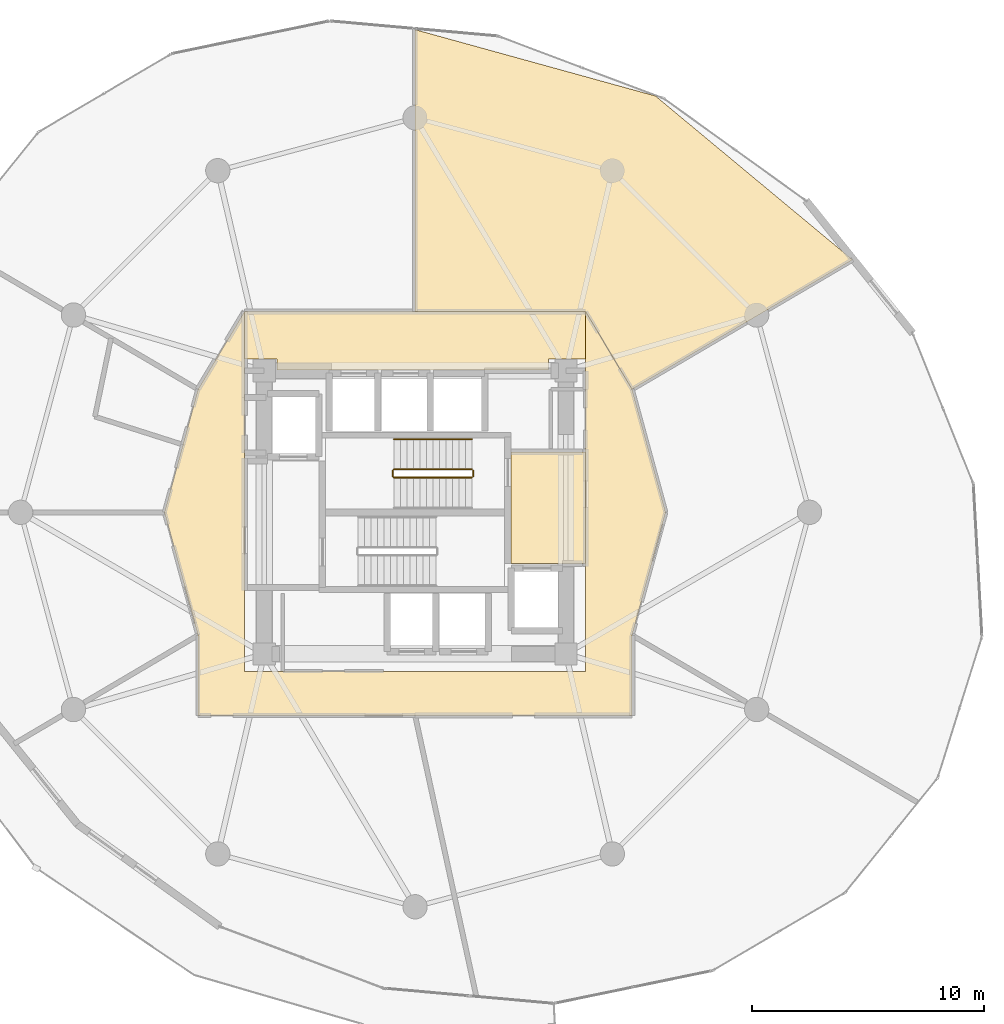
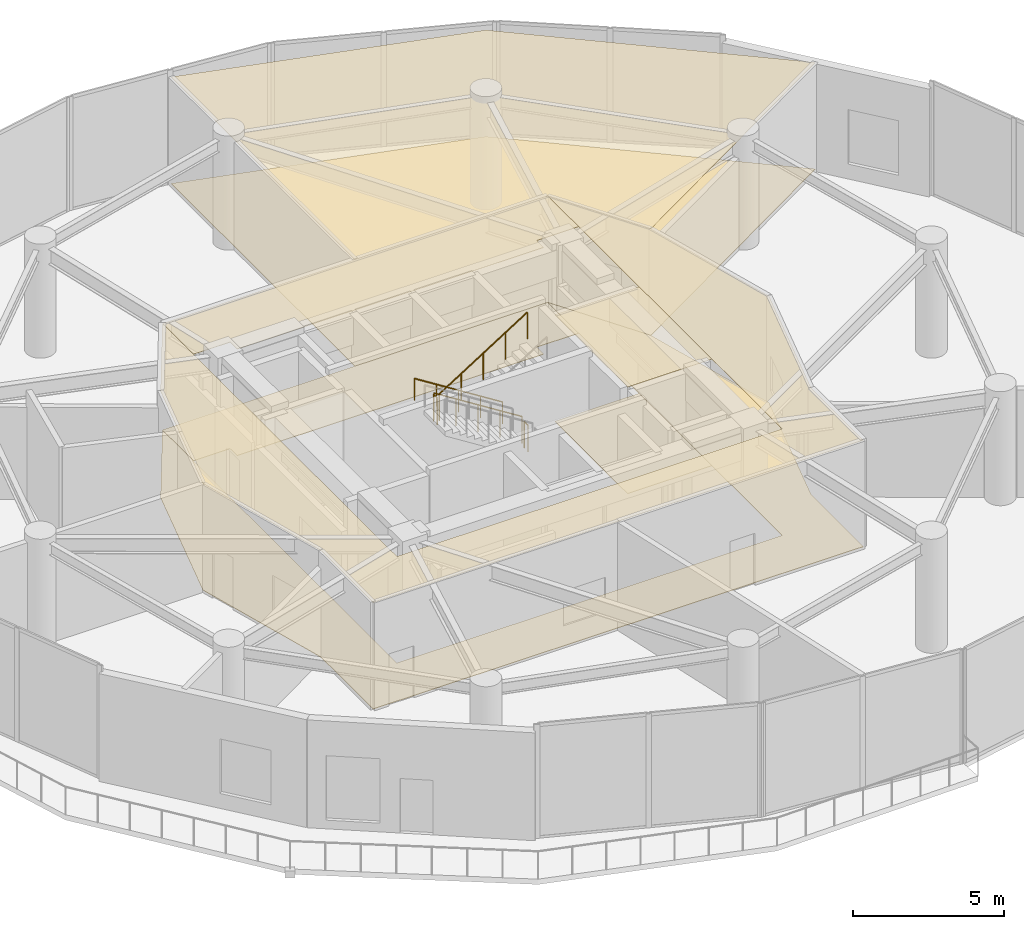
# One storey, part 28 of 28: 8 coverings, 5 railings.
"""IFC4 building model written with IfcOpenShell, lengths in metres."""

import ifcopenshell
import ifcopenshell.guid

model = None  # the IFC model being written
_history = None  # IfcOwnerHistory: only IFC2X3 demands one
_inside = {}  # id of a spatial element -> (the spatial element, [elements in it])
_under = {}  # id of a project, library or spatial element -> (it, [spatial elements below it])
_declared = {}  # id of a project -> (the project, [libraries it declares])
_typed = {}  # id of a type object -> (the type object, [elements of that type])
_made_of = {}  # id of a material, layer set ... -> (it, [elements and type objects made of it])


def new_model(schema):
    """Start an empty IFC model of exactly this schema.

    Asked for "IFC4X3", IfcOpenShell would pick the latest addendum, in which some entities
    have other attributes; the version numbers below select the first issue.
    IFC2X3 requires an IfcOwnerHistory on every rooted entity: one is made here for all.
    """
    global model, _history
    if schema == "IFC4X3":
        model = ifcopenshell.file(schema_version=(4, 3, 0, 0))
    else:
        model = ifcopenshell.file(schema=schema)
    _inside.clear()
    _under.clear()
    _declared.clear()
    _typed.clear()
    _made_of.clear()
    _history = None
    if model.schema == "IFC2X3":
        org = make("IfcOrganization", Name="unknown")
        user = make(
            "IfcPersonAndOrganization",
            ThePerson=make("IfcPerson", FamilyName="unknown"),
            TheOrganization=org,
        )
        app = make(
            "IfcApplication",
            ApplicationDeveloper=org,
            Version="unknown",
            ApplicationFullName="unknown",
            ApplicationIdentifier="unknown",
        )
        _history = make(
            "IfcOwnerHistory",
            OwningUser=user,
            OwningApplication=app,
            ChangeAction="ADDED",
            CreationDate=0,
        )
    return model


def make(cls, **values):
    """One entity of the class cls with the attributes given. An attribute that is None is left unset."""
    return model.create_entity(
        cls, **{name: value for name, value in values.items() if value is not None}
    )


def rooted(cls, **values):
    """An entity with a GlobalId (a new one), such as an element, a storey or a relation."""
    return make(cls, GlobalId=ifcopenshell.guid.new(), OwnerHistory=_history, **values)


def si_unit(unit_type, name, prefix=None):
    """IfcSIUnit, for example si_unit("LENGTHUNIT", "METRE", prefix="MILLI")."""
    return make("IfcSIUnit", UnitType=unit_type, Prefix=prefix, Name=name)


def assignment(units):
    """IfcUnitAssignment: the units of a project."""
    return None if units is None else make("IfcUnitAssignment", Units=units)


def point(xyz):
    """IfcCartesianPoint."""
    return None if xyz is None else make("IfcCartesianPoint", Coordinates=xyz)


def direction(xyz):
    """IfcDirection."""
    return None if xyz is None else make("IfcDirection", DirectionRatios=xyz)


def frame(location, z_axis=None, x_axis=None):
    """IfcAxis2Placement3D, a coordinate frame: its origin and axes. An axis left out is left unset."""
    return make(
        "IfcAxis2Placement3D",
        Location=point(location),
        Axis=direction(z_axis),
        RefDirection=direction(x_axis),
    )


def frame_2d(location, x_axis=None):
    """IfcAxis2Placement2D, a coordinate frame in the plane: its origin and x axis."""
    return make(
        "IfcAxis2Placement2D", Location=point(location), RefDirection=direction(x_axis)
    )


def origin():
    """The frame at (0, 0, 0) with its axes left unset."""
    return frame((0.0, 0.0, 0.0))


def origin_2d():
    """The frame at (0, 0) in the plane with its x axis left unset."""
    return frame_2d((0.0, 0.0))


def place(relative_to, where):
    """IfcLocalPlacement: puts the frame where relative to a parent placement (None: the world)."""
    return make(
        "IfcLocalPlacement", PlacementRelTo=relative_to, RelativePlacement=where
    )


def context(
    kind, dimensions, precision=None, world=None, true_north=None, identifier=None
):
    """IfcGeometricRepresentationContext, for example the 3D "Model" context."""
    return make(
        "IfcGeometricRepresentationContext",
        ContextIdentifier=identifier,
        ContextType=kind,
        CoordinateSpaceDimension=dimensions,
        Precision=precision,
        WorldCoordinateSystem=world,
        TrueNorth=true_north,
    )


def subcontext(parent, identifier, kind, view, scale=None):
    """IfcGeometricRepresentationSubContext, for example "Body" below "Model"."""
    return make(
        "IfcGeometricRepresentationSubContext",
        ContextIdentifier=identifier,
        ContextType=kind,
        ParentContext=parent,
        TargetScale=scale,
        TargetView=view,
    )


def project(units=None, contexts=None):
    """IfcProject with its units and contexts."""
    return rooted(
        "IfcProject",
        Name="project",
        RepresentationContexts=contexts,
        UnitsInContext=assignment(units),
    )


def spatial(cls, under=None, at=None, **own):
    """A site, building, storey or space (cls), placed at a placement, below another one or the project."""
    s = rooted(cls, ObjectPlacement=at, **own)
    if under is not None:
        _under.setdefault(under.id(), (under, []))[1].append(s)
    return s


def polyline(points):
    """IfcPolyline through the points."""
    return make("IfcPolyline", Points=[point(p) for p in points])


def profile(cls, at=None, kind="AREA", **sizes):
    """A parametric profile (cls). Its sizes go by their IFC names, for example OverallWidth=200.0."""
    return make(cls, ProfileType=kind, Position=at, **sizes)


def circle(**sizes):
    """IfcCircleProfileDef."""
    return profile("IfcCircleProfileDef", **sizes)


def outline(outer, holes=None, kind="AREA"):
    """IfcArbitraryClosedProfileDef: a profile drawn as a closed curve; with holes, ...WithVoids."""
    if holes is None:
        return make("IfcArbitraryClosedProfileDef", ProfileType=kind, OuterCurve=outer)
    return make(
        "IfcArbitraryProfileDefWithVoids",
        ProfileType=kind,
        OuterCurve=outer,
        InnerCurves=holes,
    )


def extrude(swept, where, along, depth):
    """IfcExtrudedAreaSolid: the profile swept, set in the frame where, extruded along a direction by depth."""
    return make(
        "IfcExtrudedAreaSolid",
        SweptArea=swept,
        Position=where,
        ExtrudedDirection=direction(along),
        Depth=depth,
    )


def shape(context_of_items, identifier, shape_type, items):
    """IfcShapeRepresentation: the items that make up one representation, for example the "Body"."""
    return make(
        "IfcShapeRepresentation",
        ContextOfItems=context_of_items,
        RepresentationIdentifier=identifier,
        RepresentationType=shape_type,
        Items=items,
    )


def material(Name=None, Category=None):
    """IfcMaterial."""
    return make("IfcMaterial", Name=Name, Category=Category)


def layer(
    of_material, thickness, ventilated=None, Name=None, Category=None, Priority=None
):
    """IfcMaterialLayer: one layer of a wall or slab, of a material (None: an air gap)."""
    return make(
        "IfcMaterialLayer",
        Material=of_material,
        LayerThickness=thickness,
        IsVentilated=ventilated,
        Name=Name,
        Category=Category,
        Priority=Priority,
    )


def layer_set(layers, Name=None):
    """IfcMaterialLayerSet."""
    return make("IfcMaterialLayerSet", MaterialLayers=layers, LayerSetName=Name)


def made_of(thing, what):
    """Note that an element or type object is made of a material, layer set ...; save() writes the relation."""
    if what is not None:
        _made_of.setdefault(what.id(), (what, []))[1].append(thing)
    return thing


def type_object(cls, material=None, **own):
    """A type object (cls), such as IfcWallType, which elements share."""
    return made_of(rooted(cls, **own), material)


def element(
    cls,
    number,
    at=None,
    inside=None,
    cuts=None,
    type_object=None,
    material=None,
    context=None,
    identifier="Body",
    shape_type=None,
    held_by="IfcProductDefinitionShape",
    body=None,
    shapes=None,
    **own,
):
    """One element of the class cls, such as IfcWall. Its Tag is "e" and its number.

    at: its placement. inside: the storey or other place that contains it. cuts: it is an
    opening in that element (IfcRelVoidsElement). A single representation is given by context,
    identifier, shape_type and body (its items); several are given by shapes. held_by: the class
    of the entity that holds the representations. save() writes the other relations.
    """
    e = rooted(cls, Tag="e%d" % number, ObjectPlacement=at, **own)
    if body is not None:
        shapes = [shape(context, identifier, shape_type, body)]
    if shapes is not None:
        e.Representation = make(held_by, Representations=shapes)
    if inside is not None:
        _inside.setdefault(inside.id(), (inside, []))[1].append(e)
    if cuts is not None:
        rooted(
            "IfcRelVoidsElement", RelatingBuildingElement=cuts, RelatedOpeningElement=e
        )
    if type_object is not None:
        _typed.setdefault(type_object.id(), (type_object, []))[1].append(e)
    return made_of(e, material)


def aggregate(whole, parts):
    """IfcRelAggregates: a whole, such as a stair, and the parts it consists of."""
    return rooted("IfcRelAggregates", RelatingObject=whole, RelatedObjects=parts)


def save(model, path):
    """Write the relations noted so far, then the file.

    IfcRelAggregates (storeys below a building ...), IfcRelContainedInSpatialStructure (elements
    in a storey), IfcRelDefinesByType, IfcRelAssociatesMaterial and IfcRelDeclares: one each for
    every whole, place, type object, material and project.
    """
    for whole, parts in _under.values():
        aggregate(whole, parts)
    for where, things in _inside.values():
        rooted(
            "IfcRelContainedInSpatialStructure",
            RelatedElements=things,
            RelatingStructure=where,
        )
    for kind, things in _typed.values():
        rooted("IfcRelDefinesByType", RelatedObjects=things, RelatingType=kind)
    for what, things in _made_of.values():
        rooted("IfcRelAssociatesMaterial", RelatedObjects=things, RelatingMaterial=what)
    for by, libraries in _declared.values():
        rooted("IfcRelDeclares", RelatingContext=by, RelatedDefinitions=libraries)
    model.write(path)


model = new_model("IFC4")

# Units and contexts
model_context = context("Model", 3, precision=1e-05, world=origin(), true_north=direction((0.0, 1.0)))
body_context = subcontext(model_context, "Body", "Model", "MODEL_VIEW")
ifc_project = project(units=[si_unit("LENGTHUNIT", "METRE"), si_unit("AREAUNIT", "SQUARE_METRE"), si_unit("VOLUMEUNIT", "CUBIC_METRE"), si_unit("PLANEANGLEUNIT", "RADIAN"), si_unit("MASSUNIT", "GRAM", prefix="KILO")], contexts=[model_context])

# Site, building, storey
site_placement = place(None, origin())
site = spatial("IfcSite", under=ifc_project, at=site_placement, CompositionType="ELEMENT")
building_placement = place(site_placement, origin())
building = spatial("IfcBuilding", under=site, at=building_placement, Name="Solvirekh Grand Hotel", CompositionType="ELEMENT")
storey_placement = place(building_placement, frame((0.0, 0.0, 98.0)))
storey = spatial("IfcBuildingStorey", under=building, at=storey_placement, Name="L24", CompositionType="ELEMENT", Elevation=98.0)

# Coverings
ifc_material_1 = material(Name="Acoustic Mineral Ceiling Tile")
ifc_layer_1 = layer(ifc_material_1, 0.02490234375)
ifc_layer_set_1 = layer_set([ifc_layer_1], Name="Acoustic Mineral Ceiling Tile")
covering_type_1 = type_object("IfcCoveringType", Name="Cov_Ceiling_Acoustic", PredefinedType="CEILING", material=ifc_layer_set_1)
covering_1_placement = place(storey_placement, frame((0.0, 0.0, 4.300048828125)))
element("IfcCovering", 1, at=covering_1_placement, inside=storey, type_object=covering_type_1, Name="L24 Firefighting Lobby East acoustic ceiling", PredefinedType="CEILING", context=body_context, shape_type="SweptSolid", body=[
    extrude(outline(polyline([(4.1298828125, -2.2099609375), (7.35009765625, -2.2099609375), (7.35009765625, 2.60009765625), (4.1298828125, 2.60009765625), (4.1298828125, -2.2099609375)])), origin(), (0.0, 0.0, 1.0), 0.01806640625),
])
covering_2_placement = place(storey_placement, frame((0.0, 0.0, 4.300048828125)))
element("IfcCovering", 2, at=covering_2_placement, inside=storey, type_object=covering_type_1, Name="L24 L24 High-Zone Passenger Lift Lobby acoustic ceiling", PredefinedType="CEILING", context=body_context, shape_type="SweptSolid", body=[
    extrude(outline(polyline([(-7.35009765625, 6.60009765625), (-5.949951171875, 6.60009765625), (-5.949951171875, 6.139892578125), (5.75, 6.139892578125), (5.75, 6.60009765625), (7.35009765625, 6.60009765625), (7.35009765625, 8.64990234375), (-7.35009765625, 8.64990234375), (-7.35009765625, 6.60009765625)])), origin(), (0.0, 0.0, 1.0), 0.01806640625),
])
covering_3_placement = place(storey_placement, frame((0.0, 0.0, 4.300048828125)))
element("IfcCovering", 3, at=covering_3_placement, inside=storey, type_object=covering_type_1, Name="L24 L24 Mid-Zone U-Gallery Corridor acoustic ceiling", PredefinedType="CEILING", context=body_context, shape_type="SweptSolid", body=[
    extrude(outline(polyline([(-7.35009765625, -6.85009765625), (-7.35009765625, 8.64990234375), (-9.35302734375, 5.300048828125), (-10.800048828125, 0.0), (-9.35302734375, -5.300048828125), (-9.35302734375, -8.75), (0.0, -8.75), (9.35302734375, -8.75), (9.35302734375, -5.300048828125), (10.800048828125, 0.0), (9.35302734375, 5.300048828125), (7.35009765625, 8.64990234375), (7.35009765625, -6.85009765625), (-7.35009765625, -6.85009765625)])), origin(), (0.0, 0.0, 1.0), 0.01806640625),
])
covering_4_placement = place(storey_placement, frame((0.0, 0.0, 4.300048828125)))
element("IfcCovering", 4, at=covering_4_placement, inside=storey, type_object=covering_type_1, Name="L24 Sky Lobby acoustic ceiling", PredefinedType="CEILING", context=body_context, shape_type="SweptSolid", body=[
    extrude(outline(polyline([(0.0, 8.64990234375), (7.35009765625, 8.64990234375), (9.35302734375, 5.300048828125), (18.85205078125, 10.884033203125), (10.35888671875, 17.94189453125), (0.0, 20.801025390625), (0.0, 8.64990234375)])), origin(), (0.0, 0.0, 1.0), 0.01806640625),
])
ifc_material_2 = material(Name="Porcelain Stoneware Flooring", Category="masonry")
ifc_layer_2 = layer(ifc_material_2, 0.030029296875)
ifc_layer_set_2 = layer_set([ifc_layer_2], Name="Porcelain Stoneware Flooring")
covering_type_2 = type_object("IfcCoveringType", Name="Cov_Floor_Stone", PredefinedType="FLOORING", material=ifc_layer_set_2)
covering_5_placement = place(storey_placement, origin())
element("IfcCovering", 5, at=covering_5_placement, inside=storey, type_object=covering_type_2, Name="L24 Firefighting Lobby East polished granite flooring", PredefinedType="FLOORING", context=body_context, shape_type="SweptSolid", body=[
    extrude(outline(polyline([(4.1298828125, -2.2099609375), (7.35009765625, -2.2099609375), (7.35009765625, 2.60009765625), (4.1298828125, 2.60009765625), (4.1298828125, -2.2099609375)])), origin(), (0.0, 0.0, 1.0), 0.02001953125),
])
covering_6_placement = place(storey_placement, origin())
element("IfcCovering", 6, at=covering_6_placement, inside=storey, type_object=covering_type_2, Name="L24 L24 High-Zone Passenger Lift Lobby polished granite flooring", PredefinedType="FLOORING", context=body_context, shape_type="SweptSolid", body=[
    extrude(outline(polyline([(-7.35009765625, 6.60009765625), (-5.949951171875, 6.60009765625), (-5.949951171875, 6.139892578125), (5.75, 6.139892578125), (5.75, 6.60009765625), (7.35009765625, 6.60009765625), (7.35009765625, 8.64990234375), (-7.35009765625, 8.64990234375), (-7.35009765625, 6.60009765625)])), origin(), (0.0, 0.0, 1.0), 0.02001953125),
])
covering_7_placement = place(storey_placement, origin())
element("IfcCovering", 7, at=covering_7_placement, inside=storey, type_object=covering_type_2, Name="L24 L24 Mid-Zone U-Gallery Corridor polished granite flooring", PredefinedType="FLOORING", context=body_context, shape_type="SweptSolid", body=[
    extrude(outline(polyline([(-7.35009765625, -6.85009765625), (-7.35009765625, 8.64990234375), (-9.35302734375, 5.300048828125), (-10.800048828125, 0.0), (-9.35302734375, -5.300048828125), (-9.35302734375, -8.75), (0.0, -8.75), (9.35302734375, -8.75), (9.35302734375, -5.300048828125), (10.800048828125, 0.0), (9.35302734375, 5.300048828125), (7.35009765625, 8.64990234375), (7.35009765625, -6.85009765625), (-7.35009765625, -6.85009765625)])), origin(), (0.0, 0.0, 1.0), 0.02001953125),
])
covering_8_placement = place(storey_placement, origin())
element("IfcCovering", 8, at=covering_8_placement, inside=storey, type_object=covering_type_2, Name="L24 Sky Lobby polished granite flooring", PredefinedType="FLOORING", context=body_context, shape_type="SweptSolid", body=[
    extrude(outline(polyline([(0.0, 8.64990234375), (7.35009765625, 8.64990234375), (9.35302734375, 5.300048828125), (18.85205078125, 10.884033203125), (10.35888671875, 17.94189453125), (0.0, 20.801025390625), (0.0, 8.64990234375)])), origin(), (0.0, 0.0, 1.0), 0.02001953125),
])

# Railings
ifc_material_3 = material(Name="Steel S355", Category="steel")
railing_type_1 = type_object("IfcRailingType", Name="Guard_Stair_1100", PredefinedType="GUARDRAIL", material=ifc_material_3)
railing_1_placement = place(storey_placement, frame((2.449951171875, 1.85009765625, 0.177001953125)))
element("IfcRailing", 9, at=railing_1_placement, inside=storey, type_object=railing_type_1, Name="L24 ST-2 stair guard 1", PredefinedType="GUARDRAIL", context=body_context, shape_type="SweptSolid", body=[
    extrude(circle(Radius=0.02392578125, at=origin_2d()), frame((0.0, 0.0, 1.076171875), z_axis=(-0.845372108799, 0.0, 0.534177870812), x_axis=(0.0, -1.0, 0.0)), (0.0, 0.0, 1.0), 3.974365234375),
    extrude(circle(Radius=0.02099609375, at=origin_2d()), origin(), (0.0, 0.0, 1.0), 1.052001953125),
    extrude(circle(Radius=0.02099609375, at=origin_2d()), frame((-0.83984375, 0.0, 0.53076171875)), (0.0, 0.0, 1.0), 1.052001953125),
    extrude(circle(Radius=0.02099609375, at=origin_2d()), frame((-1.679931640625, 0.0, 1.0615234375)), (0.0, 0.0, 1.0), 1.052001953125),
    extrude(circle(Radius=0.02099609375, at=origin_2d()), frame((-2.52001953125, 0.0, 1.59228515625)), (0.0, 0.0, 1.0), 1.052001953125),
    extrude(circle(Radius=0.02099609375, at=origin_2d()), frame((-3.35986328125, 0.0, 2.123046875)), (0.0, 0.0, 1.0), 1.052001953125),
])
railing_2_placement = place(storey_placement, frame((-0.9599609375, 1.800048828125, 2.300048828125)))
element("IfcRailing", 10, at=railing_2_placement, inside=storey, type_object=railing_type_1, Name="L24 ST-2 stair guard 2", PredefinedType="GUARDRAIL", context=body_context, shape_type="SweptSolid", body=[
    extrude(circle(Radius=0.02392578125, at=origin_2d()), frame((0.0, 0.0, 1.076171875), z_axis=(0.0, -1.0, 0.0), x_axis=(1.0, 0.0, 0.0)), (0.0, 0.0, 1.0), 0.25),
    extrude(circle(Radius=0.02099609375, at=origin_2d()), origin(), (0.0, 0.0, 1.0), 1.052001953125),
    extrude(circle(Radius=0.02099609375, at=origin_2d()), frame((0.0, -0.25, 0.0)), (0.0, 0.0, 1.0), 1.052001953125),
])
railing_3_placement = place(storey_placement, frame((-0.909912109375, 1.5, 2.476806640625)))
element("IfcRailing", 11, at=railing_3_placement, inside=storey, type_object=railing_type_1, Name="L24 ST-2 stair guard 3", PredefinedType="GUARDRAIL", context=body_context, shape_type="SweptSolid", body=[
    extrude(circle(Radius=0.02392578125, at=origin_2d()), frame((0.0, 0.0, 1.076171875), z_axis=(0.845344368971, 0.0, 0.534221768416), x_axis=(0.0, 1.0, 0.0)), (0.0, 0.0, 1.0), 3.974609375),
    extrude(circle(Radius=0.02099609375, at=origin_2d()), origin(), (0.0, 0.0, 1.0), 1.052001953125),
    extrude(circle(Radius=0.02099609375, at=origin_2d()), frame((0.83984375, 0.0, 0.53076171875)), (0.0, 0.0, 1.0), 1.052001953125),
    extrude(circle(Radius=0.02099609375, at=origin_2d()), frame((1.679931640625, 0.0, 1.0615234375)), (0.0, 0.0, 1.0), 1.052001953125),
    extrude(circle(Radius=0.02099609375, at=origin_2d()), frame((2.52001953125, 0.0, 1.592529296875)), (0.0, 0.0, 1.0), 1.052001953125),
    extrude(circle(Radius=0.02099609375, at=origin_2d()), frame((3.35986328125, 0.0, 2.123291015625)), (0.0, 0.0, 1.0), 1.052001953125),
])
railing_4_placement = place(storey_placement, frame((2.5, 1.800048828125, 0.0)))
element("IfcRailing", 12, at=railing_4_placement, inside=storey, type_object=railing_type_1, Name="L24 ST-2 stair guard 4", PredefinedType="GUARDRAIL", context=body_context, shape_type="SweptSolid", body=[
    extrude(circle(Radius=0.02392578125, at=origin_2d()), frame((0.0, 0.0, 1.076171875), z_axis=(0.0, -1.0, 0.0), x_axis=(1.0, 0.0, 0.0)), (0.0, 0.0, 1.0), 0.25),
    extrude(circle(Radius=0.02099609375, at=origin_2d()), origin(), (0.0, 0.0, 1.0), 1.052001953125),
    extrude(circle(Radius=0.02099609375, at=origin_2d()), frame((0.0, -0.25, 0.0)), (0.0, 0.0, 1.0), 1.052001953125),
])
ifc_material_4 = material(Name="Anodized Bronze Aluminium 6063-T6", Category="aluminium")
railing_type_2 = type_object("IfcRailingType", Name="Handrail_Wall_900", PredefinedType="HANDRAIL", material=ifc_material_4)
railing_5_placement = place(storey_placement, frame((2.449951171875, 3.14990234375, 0.177001953125)))
element("IfcRailing", 13, at=railing_5_placement, inside=storey, type_object=railing_type_2, Name="L24 ST-2 stair handrail 1", PredefinedType="HANDRAIL", context=body_context, shape_type="SweptSolid", body=[
    extrude(circle(Radius=0.02392578125, at=origin_2d()), frame((0.0, 0.0, 0.8759765625), z_axis=(-0.845372108799, 0.0, 0.534177870812), x_axis=(0.0, -1.0, 0.0)), (0.0, 0.0, 1.0), 3.974365234375),
    extrude(circle(Radius=0.02099609375, at=origin_2d()), origin(), (0.0, 0.0, 1.0), 0.851806640625),
    extrude(circle(Radius=0.02099609375, at=origin_2d()), frame((-0.83984375, 0.0, 0.53076171875)), (0.0, 0.0, 1.0), 0.851806640625),
    extrude(circle(Radius=0.02099609375, at=origin_2d()), frame((-1.679931640625, 0.0, 1.0615234375)), (0.0, 0.0, 1.0), 0.851806640625),
    extrude(circle(Radius=0.02099609375, at=origin_2d()), frame((-2.52001953125, 0.0, 1.59228515625)), (0.0, 0.0, 1.0), 0.851806640625),
    extrude(circle(Radius=0.02099609375, at=origin_2d()), frame((-3.35986328125, 0.0, 2.123046875)), (0.0, 0.0, 1.0), 0.851806640625),
])

save(model, "model.ifc")
